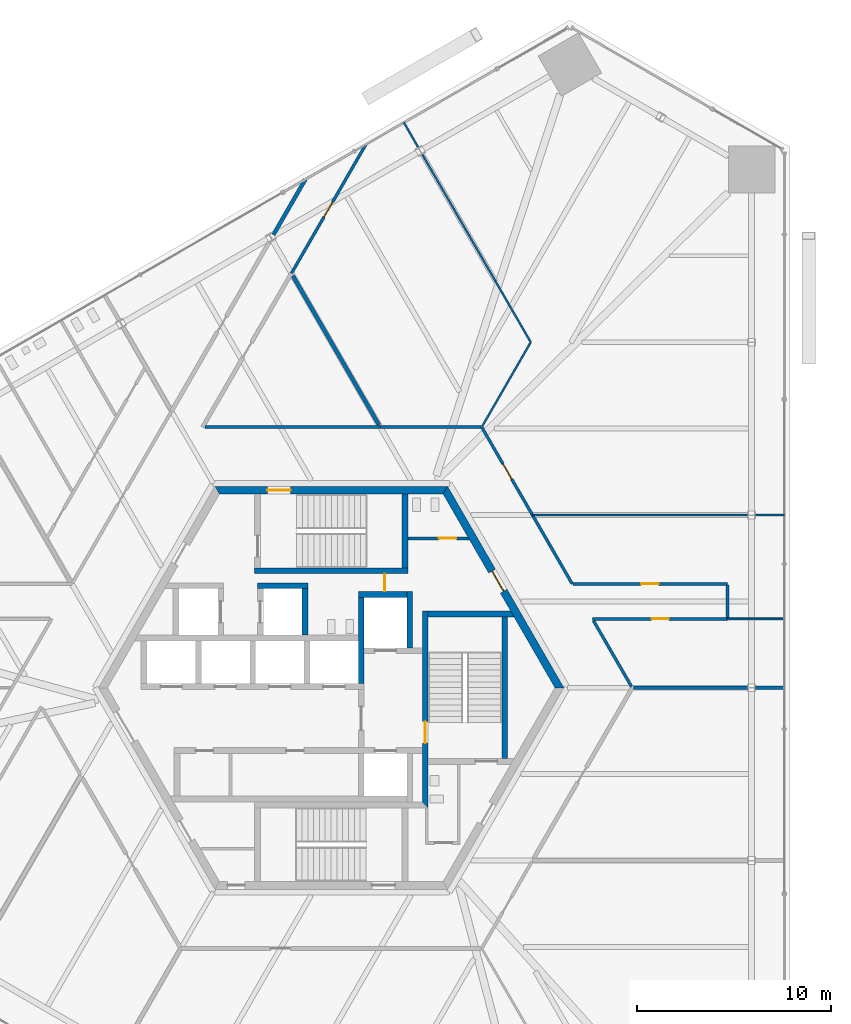
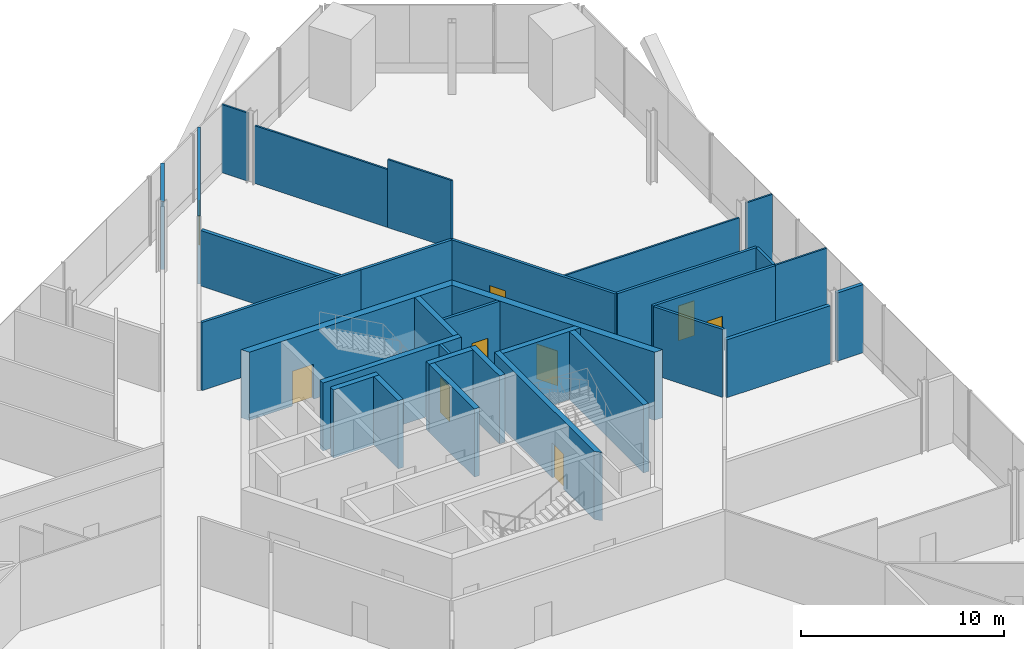
# One storey, part 14 of 17: 33 walls, 9 doors, 9 openings.
"""IFC4 building model written with IfcOpenShell, lengths in metres."""

from ifc_helpers import new_model, si_unit, direction, frame, frame_2d, origin, place, context, subcontext, project, spatial, polyline, rectangle, outline, extrude, source, transform, mapped, material, layer, layer_set, type_object, element, fill, save


model = new_model("IFC4")

# Units and contexts
model_context = context("Model", 3, precision=1e-05, world=origin(), true_north=direction((0.0, 1.0)))
body_context = subcontext(model_context, "Body", "Model", "MODEL_VIEW")
ifc_project = project(units=[si_unit("LENGTHUNIT", "METRE"), si_unit("AREAUNIT", "SQUARE_METRE"), si_unit("VOLUMEUNIT", "CUBIC_METRE"), si_unit("PLANEANGLEUNIT", "RADIAN"), si_unit("MASSUNIT", "GRAM", prefix="KILO")], contexts=[model_context])

# Site, building, storey
site_placement = place(None, origin())
site = spatial("IfcSite", under=ifc_project, at=site_placement, CompositionType="ELEMENT")
building_placement = place(site_placement, origin())
building = spatial("IfcBuilding", under=site, at=building_placement, Name="Triune Harvest Tower", CompositionType="ELEMENT")
storey_placement = place(building_placement, frame((0.0, 0.0, 46.10009765625)))
storey = spatial("IfcBuildingStorey", under=building, at=storey_placement, Name="L10", CompositionType="ELEMENT", Elevation=46.10009765625)

# Wall, opening, door
ifc_material_1 = material(Name="Gypsum board on steel studs", Category="steel")
ifc_layer_1 = layer(ifc_material_1, 0.14990234375)
ifc_layer_set_1 = layer_set([ifc_layer_1], Name="Gypsum board on steel studs")
wall_type_1 = type_object("IfcWallType", Name="Fire Partition 150 mm", PredefinedType="PARTITIONING", material=ifc_layer_set_1)
wall_1_placement = place(storey_placement, frame((7.760986328125, 13.442138671875, 0.0), z_axis=(0.0, 0.0, 1.0), x_axis=(0.500005339912, -0.866022320763, 0.0)))
wall_1 = element("IfcWall", 1, at=wall_1_placement, inside=storey, type_object=wall_type_1, Name="Partition L10 015", PredefinedType="PARTITIONING", context=body_context, shape_type="SweptSolid", body=[
    extrude(rectangle(XDim=9.33837890625, YDim=0.14990234375, at=frame_2d((4.669189453125, 0.0))), origin(), (0.0, 0.0, 1.0), 4.099853515625),
])
opening_1_placement = place(wall_1_placement, frame((2.183349609375, 0.0, 0.0)))
opening_1 = element("IfcOpeningElement", 2, at=opening_1_placement, cuts=wall_1, Name="Opening L10-006", PredefinedType="OPENING", context=body_context, shape_type="SweptSolid", body=[
    extrude(rectangle(XDim=0.89990234375, YDim=2.10009765625, at=frame_2d((0.449951171875, 1.050048828125))), frame((0.0, 0.0849609375, 0.0), z_axis=(0.0, -1.0, 0.0), x_axis=(1.0, 0.0, 0.0)), (0.0, 0.0, 1.0), 0.169921875),
])
ifc_material_2 = material(Name="Timber and steel door set", Category="steel")
door_type_1 = type_object("IfcDoorType", Name="Single leaf door FD30 left hand 900 x 2100", OperationType="SINGLE_SWING_LEFT", PredefinedType="DOOR", material=ifc_material_2)
door_1_placement = place(opening_1_placement, origin())
door_1 = element("IfcDoor", 3, at=door_1_placement, inside=storey, type_object=door_type_1, Name="Door L10-006 Staff Room 10.06", OperationType="SINGLE_SWING_LEFT", OverallHeight=2.10009765625, OverallWidth=0.89990234375, PredefinedType="DOOR", context=body_context, shape_type="SweptSolid", body=[
    extrude(rectangle(XDim=0.89990234375, YDim=2.10009765625, at=frame_2d((0.449951171875, 1.050048828125))), frame((0.0, 0.02490234375, 0.0), z_axis=(0.0, -1.0, 0.0), x_axis=(1.0, 0.0, 0.0)), (0.0, 0.0, 1.0), 0.050048828125),
])
fill(opening_1, door_1)

# Wall
wall_2_placement = place(storey_placement, frame((13.5244140625, 3.459716796875, 0.0), z_axis=(0.0, 0.0, 1.0), x_axis=(0.500006044118, -0.866021914183, 0.0)))
element("IfcWall", 4, at=wall_2_placement, inside=storey, type_object=wall_type_1, Name="Partition L10 016", PredefinedType="PARTITIONING", context=body_context, shape_type="SweptSolid", body=[
    extrude(rectangle(XDim=3.9248046875, YDim=0.14990234375, at=frame_2d((1.96240234375, 0.0))), origin(), (0.0, 0.0, 1.0), 4.099853515625),
])

# Wall, opening, door
wall_3_placement = place(storey_placement, frame((13.469482421875, 3.554931640625, 0.0), z_axis=(0.0, 0.0, 1.0), x_axis=(1.0, 0.0, 0.0)))
wall_3 = element("IfcWall", 5, at=wall_3_placement, inside=storey, type_object=wall_type_1, Name="Partition L10 034", PredefinedType="PARTITIONING", context=body_context, shape_type="SweptSolid", body=[
    extrude(rectangle(XDim=6.9599609375, YDim=0.14990234375, at=frame_2d((3.47998046875, 0.0))), origin(), (0.0, 0.0, 1.0), 4.099853515625),
])
opening_2_placement = place(wall_3_placement, frame((3.050048828125, 0.0, 0.0)))
opening_2 = element("IfcOpeningElement", 6, at=opening_2_placement, cuts=wall_3, Name="Opening L10-005", PredefinedType="OPENING", context=body_context, shape_type="SweptSolid", body=[
    extrude(rectangle(XDim=0.89990234375, YDim=2.10009765625, at=frame_2d((0.449951171875, 1.050048828125))), frame((0.0, 0.0849609375, 0.0), z_axis=(0.0, -1.0, 0.0), x_axis=(1.0, 0.0, 0.0)), (0.0, 0.0, 1.0), 0.169921875),
])
door_2_placement = place(opening_2_placement, origin())
door_2 = element("IfcDoor", 7, at=door_2_placement, inside=storey, type_object=door_type_1, Name="Door L10-005 Dry Store Room 10.05", OperationType="SINGLE_SWING_LEFT", OverallHeight=2.10009765625, OverallWidth=0.89990234375, PredefinedType="DOOR", context=body_context, shape_type="SweptSolid", body=[
    extrude(rectangle(XDim=0.89990234375, YDim=2.10009765625, at=frame_2d((0.449951171875, 1.050048828125))), frame((0.0, 0.02490234375, 0.0), z_axis=(0.0, -1.0, 0.0), x_axis=(1.0, 0.0, 0.0)), (0.0, 0.0, 1.0), 0.050048828125),
])
fill(opening_2, door_2)

wall_4_placement = place(storey_placement, frame((12.47998046875, 5.35498046875, 0.0), z_axis=(0.0, 0.0, 1.0), x_axis=(1.0, 0.0, 0.0)))
wall_4 = element("IfcWall", 8, at=wall_4_placement, inside=storey, type_object=wall_type_1, Name="Partition L10 037", PredefinedType="PARTITIONING", context=body_context, shape_type="SweptSolid", body=[
    extrude(rectangle(XDim=7.949462890625, YDim=0.14990234375, at=frame_2d((3.974609375, 0.0))), origin(), (0.0, 0.0, 1.0), 4.099853515625),
])
opening_3_placement = place(wall_4_placement, frame((3.50048828125, 0.0, 0.0)))
opening_3 = element("IfcOpeningElement", 9, at=opening_3_placement, cuts=wall_4, Name="Opening L10-004", PredefinedType="OPENING", context=body_context, shape_type="SweptSolid", body=[
    extrude(rectangle(XDim=0.89990234375, YDim=2.10009765625, at=frame_2d((0.449951171875, 1.050048828125))), frame((0.0, 0.0849609375, 0.0), z_axis=(0.0, -1.0, 0.0), x_axis=(1.0, 0.0, 0.0)), (0.0, 0.0, 1.0), 0.169921875),
])
ifc_material_3 = material(Name="Timber and steel door set", Category="steel")
door_type_2 = type_object("IfcDoorType", Name="Single leaf door FD30 right hand 900 x 2100", OperationType="SINGLE_SWING_RIGHT", PredefinedType="DOOR", material=ifc_material_3)
door_3_placement = place(opening_3_placement, origin())
door_3 = element("IfcDoor", 10, at=door_3_placement, inside=storey, type_object=door_type_2, Name="Door L10-004 Packing Room 10.04", OperationType="SINGLE_SWING_RIGHT", OverallHeight=2.10009765625, OverallWidth=0.89990234375, PredefinedType="DOOR", context=body_context, shape_type="SweptSolid", body=[
    extrude(rectangle(XDim=0.89990234375, YDim=2.10009765625, at=frame_2d((0.449951171875, 1.050048828125))), frame((0.0, 0.02490234375, 0.0), z_axis=(0.0, -1.0, 0.0), x_axis=(1.0, 0.0, 0.0)), (0.0, 0.0, 1.0), 0.050048828125),
])
fill(opening_3, door_3)

# Walls
wall_5_placement = place(storey_placement, frame((-6.50244140625, 13.4423828125, 0.0), z_axis=(0.0, 0.0, 1.0), x_axis=(1.0, 0.0, 0.0)))
element("IfcWall", 11, at=wall_5_placement, inside=storey, type_object=wall_type_1, Name="Partition L10 040", PredefinedType="PARTITIONING", context=body_context, shape_type="SweptSolid", body=[
    extrude(rectangle(XDim=9.033447265625, YDim=0.14990234375, at=frame_2d((4.5166015625, 0.0))), origin(), (0.0, 0.0, 1.0), 4.099853515625),
])
wall_6_placement = place(storey_placement, frame((2.531005859375, 13.4423828125, 0.0), z_axis=(0.0, 0.0, 1.0), x_axis=(1.0, 0.0, 0.0)))
element("IfcWall", 12, at=wall_6_placement, inside=storey, type_object=wall_type_1, Name="Partition L10 041", PredefinedType="PARTITIONING", context=body_context, shape_type="SweptSolid", body=[
    extrude(rectangle(XDim=5.179931640625, YDim=0.14990234375, at=frame_2d((2.58984375, 0.0))), origin(), (0.0, 0.0, 1.0), 4.099853515625),
])

# Wall, opening, door
wall_7_placement = place(storey_placement, frame((-2.05078125, 21.3779296875, 0.0), z_axis=(0.0, 0.0, 1.0), x_axis=(0.500013814221, 0.866017427994, 0.0)))
wall_7 = element("IfcWall", 13, at=wall_7_placement, inside=storey, type_object=wall_type_1, Name="Partition L10 054", PredefinedType="PARTITIONING", context=body_context, shape_type="SweptSolid", body=[
    extrude(rectangle(XDim=7.664306640625, YDim=0.14990234375, at=frame_2d((3.83203125, 0.0))), origin(), (0.0, 0.0, 1.0), 4.099853515625),
])
opening_4_placement = place(wall_7_placement, frame((3.346435546875, 0.0, 0.0)))
opening_4 = element("IfcOpeningElement", 14, at=opening_4_placement, cuts=wall_7, Name="Opening L10-007", PredefinedType="OPENING", context=body_context, shape_type="SweptSolid", body=[
    extrude(rectangle(XDim=0.89990234375, YDim=2.10009765625, at=frame_2d((0.449951171875, 1.050048828125))), frame((0.0, 0.0849609375, 0.0), z_axis=(0.0, -1.0, 0.0), x_axis=(1.0, 0.0, 0.0)), (0.0, 0.0, 1.0), 0.169921875),
])
door_4_placement = place(opening_4_placement, origin())
door_4 = element("IfcDoor", 15, at=door_4_placement, inside=storey, type_object=door_type_2, Name="Door L10-007 Staff Room 10.07", OperationType="SINGLE_SWING_RIGHT", OverallHeight=2.10009765625, OverallWidth=0.89990234375, PredefinedType="DOOR", context=body_context, shape_type="SweptSolid", body=[
    extrude(rectangle(XDim=0.89990234375, YDim=2.10009765625, at=frame_2d((0.449951171875, 1.050048828125))), frame((0.0, 0.02490234375, 0.0), z_axis=(0.0, -1.0, 0.0), x_axis=(1.0, 0.0, 0.0)), (0.0, 0.0, 1.0), 0.050048828125),
])
fill(opening_4, door_4)

# Walls
ifc_material_4 = material(Name="Gypsum board on steel studs", Category="steel")
ifc_layer_2 = layer(ifc_material_4, 0.199951171875)
ifc_layer_set_2 = layer_set([ifc_layer_2], Name="Gypsum board on steel studs")
wall_type_2 = type_object("IfcWallType", Name="Fire Wall 200 mm", PredefinedType="PARTITIONING", material=ifc_layer_set_2)
wall_8_placement = place(storey_placement, frame((-1.9775390625, 21.2451171875, 0.0), z_axis=(0.0, 0.0, 1.0), x_axis=(0.499984742941, -0.866034212273, 0.0)))
element("IfcWall", 16, at=wall_8_placement, inside=storey, type_object=wall_type_2, Name="Partition L10 014", PredefinedType="PARTITIONING", context=body_context, shape_type="SweptSolid", body=[
    extrude(rectangle(XDim=8.889892578125, YDim=0.199951171875, at=frame_2d((4.44482421875, 0.0))), origin(), (0.0, 0.0, 1.0), 3.343017578125),
])
wall_9_placement = place(storey_placement, frame((15.591796875, 0.0, 0.0), z_axis=(0.0, 0.0, 1.0), x_axis=(1.0, 0.0, 0.0)))
element("IfcWall", 17, at=wall_9_placement, inside=storey, type_object=wall_type_2, Name="Partition L10 030", PredefinedType="PARTITIONING", context=body_context, shape_type="SweptSolid", body=[
    extrude(rectangle(XDim=5.89453125, YDim=0.199951171875, at=frame_2d((2.947265625, 0.0))), origin(), (0.0, 0.0, 1.0), 3.48779296875),
])
wall_10_placement = place(storey_placement, frame((-2.98095703125, 23.36669921875, 0.0), z_axis=(0.0, 0.0, 1.0), x_axis=(0.5000265556, 0.866010071359, 0.0)))
element("IfcWall", 18, at=wall_10_placement, inside=storey, type_object=wall_type_2, Name="Partition L10 058", PredefinedType="PARTITIONING", context=body_context, shape_type="SweptSolid", body=[
    extrude(rectangle(XDim=3.289306640625, YDim=0.199951171875, at=frame_2d((1.64453125, 0.0))), origin(), (0.0, 0.0, 1.0), 4.099853515625),
])
ifc_material_5 = material(Name="Gypsum board on steel studs", Category="steel")
ifc_layer_3 = layer(ifc_material_5, 0.10009765625)
ifc_layer_set_3 = layer_set([ifc_layer_3], Name="Gypsum board on steel studs")
wall_type_3 = type_object("IfcWallType", Name="Partition 100 mm", PredefinedType="PARTITIONING", material=ifc_layer_set_3)
wall_11_placement = place(storey_placement, frame((8.4736328125, 20.963134765625, 0.0), z_axis=(0.0, 0.0, 1.0), x_axis=(0.500009718699, -0.866019792618, 0.0)))
element("IfcWall", 19, at=wall_11_placement, inside=storey, type_object=wall_type_3, Name="Partition L10 018a", PredefinedType="PARTITIONING", context=body_context, shape_type="SweptSolid", body=[
    extrude(rectangle(XDim=3.62939453125, YDim=0.10009765625, at=frame_2d((1.814697265625, 0.0))), origin(), (0.0, 0.0, 1.0), 4.099853515625),
])
wall_12_placement = place(storey_placement, frame((10.377685546875, 8.909912109375, 0.0), z_axis=(0.0, 0.0, 1.0), x_axis=(1.0, 0.0, 0.0)))
element("IfcWall", 20, at=wall_12_placement, inside=storey, type_object=wall_type_3, Name="Partition L10 038", PredefinedType="PARTITIONING", context=body_context, shape_type="SweptSolid", body=[
    extrude(rectangle(XDim=11.108642578125, YDim=0.10009765625, at=frame_2d((5.55419921875, 0.0))), origin(), (0.0, 0.0, 1.0), 3.343017578125),
])
wall_13_placement = place(storey_placement, frame((7.78076171875, 13.476806640625, 0.0), z_axis=(0.0, 0.0, 1.0), x_axis=(0.499997455298, 0.866026872964, 0.0)))
element("IfcWall", 21, at=wall_13_placement, inside=storey, type_object=wall_type_3, Name="Partition L10 049", PredefinedType="PARTITIONING", context=body_context, shape_type="SweptSolid", body=[
    extrude(rectangle(XDim=4.9951171875, YDim=0.10009765625, at=frame_2d((2.49755859375, 0.0))), origin(), (0.0, 0.0, 1.0), 4.099853515625),
])

# Wall, opening, door
ifc_material_6 = material(Name="Concrete 70 MPa", Category="concrete")
ifc_layer_4 = layer(ifc_material_6, 0.39990234375)
ifc_layer_set_4 = layer_set([ifc_layer_4], Name="Concrete 70 MPa")
wall_type_4 = type_object("IfcWallType", Name="Core wall 400", PredefinedType="SHEAR", material=ifc_layer_set_4)
shared_shape_1 = source(origin(), body_context, "Body", "SweptSolid", [
    extrude(outline(polyline([(-0.115478515625, -0.199951171875), (11.884521484375, -0.199951171875), (11.653564453125, 0.199951171875), (0.115478515625, 0.199951171875), (-0.115478515625, -0.199951171875)])), origin(), (0.0, 0.0, 1.0), 4.099853515625),
])
wall_14_placement = place(storey_placement, frame((11.76904296875, 0.0, 0.0), z_axis=(0.0, 0.0, 1.0), x_axis=(-0.499996592174, 0.866027371285, 0.0)))
wall_14 = element("IfcWall", 22, at=wall_14_placement, inside=storey, type_object=wall_type_4, Name="Hexagon 0 wall", PredefinedType="SHEAR", context=body_context, shape_type="MappedRepresentation", body=[
    mapped(shared_shape_1, transform((0.0, 0.0, 0.0), scale=1.0)),
])
opening_5_placement = place(wall_14_placement, frame((5.75048828125, 0.0, 0.0)))
opening_5 = element("IfcOpeningElement", 23, at=opening_5_placement, cuts=wall_14, Name="Opening CD-WCP", PredefinedType="OPENING", context=body_context, shape_type="SweptSolid", body=[
    extrude(rectangle(XDim=1.199951171875, YDim=2.10009765625, at=frame_2d((0.60009765625, 1.050048828125))), frame((0.0, 0.2099609375, 0.0), z_axis=(0.0, -1.0, 0.0), x_axis=(1.0, 0.0, 0.0)), (0.0, 0.0, 1.0), 0.419921875),
])
ifc_material_7 = material(Name="Steel S235", Category="steel")
door_type_3 = type_object("IfcDoorType", Name="Lobby door 1200 FD120", OperationType="SINGLE_SWING_LEFT", PredefinedType="DOOR", material=ifc_material_7)
door_5_placement = place(opening_5_placement, frame((1.199951171875, 0.0, 0.0), z_axis=(0.0, 0.0, 1.0), x_axis=(-1.0, 0.0, 0.0)))
door_5 = element("IfcDoor", 24, at=door_5_placement, inside=storey, type_object=door_type_3, Name="Door CD-WCP", OperationType="SINGLE_SWING_RIGHT", OverallHeight=2.10009765625, OverallWidth=1.199951171875, PredefinedType="DOOR", context=body_context, shape_type="SweptSolid", body=[
    extrude(rectangle(XDim=1.199951171875, YDim=2.10009765625, at=frame_2d((0.60009765625, 1.050048828125))), frame((0.0, 0.02490234375, 0.0), z_axis=(0.0, -1.0, 0.0), x_axis=(1.0, 0.0, 0.0)), (0.0, 0.0, 1.0), 0.050048828125),
])
fill(opening_5, door_5)

wall_15_placement = place(storey_placement, frame((5.884521484375, 10.1923828125, 0.0), z_axis=(0.0, 0.0, 1.0), x_axis=(-1.0, 0.0, 0.0)))
wall_15 = element("IfcWall", 25, at=wall_15_placement, inside=storey, type_object=wall_type_4, Name="Hexagon 1 wall", PredefinedType="SHEAR", context=body_context, shape_type="MappedRepresentation", body=[
    mapped(shared_shape_1, transform((0.0, 0.0, 0.0), scale=1.0)),
])
opening_6_placement = place(wall_15_placement, frame((7.984619140625, 0.0, 0.0)))
opening_6 = element("IfcOpeningElement", 26, at=opening_6_placement, cuts=wall_15, Name="Opening CD-S1P", PredefinedType="OPENING", context=body_context, shape_type="SweptSolid", body=[
    extrude(rectangle(XDim=1.199951171875, YDim=2.10009765625, at=frame_2d((0.60009765625, 1.050048828125))), frame((0.0, 0.2099609375, 0.0), z_axis=(0.0, -1.0, 0.0), x_axis=(1.0, 0.0, 0.0)), (0.0, 0.0, 1.0), 0.419921875),
])
ifc_material_8 = material(Name="Steel S235", Category="steel")
door_type_4 = type_object("IfcDoorType", Name="Stair door 1200 FD120", OperationType="SINGLE_SWING_LEFT", PredefinedType="DOOR", material=ifc_material_8)
door_6_placement = place(opening_6_placement, frame((1.199951171875, 0.0, 0.0), z_axis=(0.0, 0.0, 1.0), x_axis=(-1.0, 0.0, 0.0)))
door_6 = element("IfcDoor", 27, at=door_6_placement, inside=storey, type_object=door_type_4, Name="Door CD-S1P", OperationType="SINGLE_SWING_RIGHT", OverallHeight=2.10009765625, OverallWidth=1.199951171875, PredefinedType="DOOR", context=body_context, shape_type="SweptSolid", body=[
    extrude(rectangle(XDim=1.199951171875, YDim=2.10009765625, at=frame_2d((0.60009765625, 1.050048828125))), frame((0.0, 0.02490234375, 0.0), z_axis=(0.0, -1.0, 0.0), x_axis=(1.0, 0.0, 0.0)), (0.0, 0.0, 1.0), 0.050048828125),
])
fill(opening_6, door_6)

# Walls
ifc_material_9 = material(Name="Concrete 70 MPa", Category="concrete")
ifc_layer_5 = layer(ifc_material_9, 0.300048828125)
ifc_layer_set_5 = layer_set([ifc_layer_5], Name="Concrete 70 MPa")
wall_type_5 = type_object("IfcWallType", Name="Core wall 300", PredefinedType="SHEAR", material=ifc_layer_set_5)
shared_shape_2 = source(origin(), body_context, "Body", "SweptSolid", [
    extrude(rectangle(XDim=2.5, YDim=0.300048828125, at=frame_2d((1.25, 0.0))), origin(), (0.0, 0.0, 1.0), 4.099853515625),
])
wall_16_placement = place(storey_placement, frame((1.39990234375, 4.81005859375, 0.0), z_axis=(0.0, 0.0, 1.0), x_axis=(1.0, 0.0, 0.0)))
element("IfcWall", 28, at=wall_16_placement, inside=storey, type_object=wall_type_5, Name="Ff1 back wall", PredefinedType="SHEAR", context=body_context, shape_type="MappedRepresentation", body=[
    mapped(shared_shape_2, transform((0.0, 0.0, 0.0), scale=1.0)),
])
shared_shape_3 = source(origin(), body_context, "Body", "SweptSolid", [
    extrude(rectangle(XDim=4.449951171875, YDim=0.300048828125, at=frame_2d((2.22509765625, 0.0))), origin(), (0.0, 0.0, 1.0), 4.099853515625),
])
wall_17_placement = place(storey_placement, frame((1.550048828125, 0.2099609375, 0.0), z_axis=(0.0, 0.0, 1.0), x_axis=(0.0, 1.0, 0.0)))
element("IfcWall", 29, at=wall_17_placement, inside=storey, type_object=wall_type_5, Name="Ff1 west wall", PredefinedType="SHEAR", context=body_context, shape_type="MappedRepresentation", body=[
    mapped(shared_shape_3, transform((0.0, 0.0, 0.0), scale=1.0)),
])
shared_shape_4 = source(origin(), body_context, "Body", "SweptSolid", [
    extrude(rectangle(XDim=2.89990234375, YDim=0.300048828125, at=frame_2d((1.449951171875, 0.0))), origin(), (0.0, 0.0, 1.0), 4.099853515625),
])
wall_18_placement = place(storey_placement, frame((4.050048828125, 2.06005859375, 0.0), z_axis=(0.0, 0.0, 1.0), x_axis=(0.0, 1.0, 0.0)))
element("IfcWall", 30, at=wall_18_placement, inside=storey, type_object=wall_type_5, Name="Ff1 east wall", PredefinedType="SHEAR", context=body_context, shape_type="MappedRepresentation", body=[
    mapped(shared_shape_4, transform((0.0, 0.0, 0.0), scale=1.0)),
])

# Wall, opening, door
shared_shape_5 = source(origin(), body_context, "Body", "SweptSolid", [
    extrude(outline(polyline([(-0.14990234375, -0.14990234375), (9.989990234375, -0.14990234375), (9.989990234375, 0.14990234375), (0.14990234375, 0.14990234375), (-0.14990234375, -0.14990234375)])), origin(), (0.0, 0.0, 1.0), 4.099853515625),
])
wall_19_placement = place(storey_placement, frame((4.85009765625, -6.0400390625, 0.0), z_axis=(0.0, 0.0, 1.0), x_axis=(0.0, 1.0, 0.0)))
wall_19 = element("IfcWall", 31, at=wall_19_placement, inside=storey, type_object=wall_type_5, Name="Stair e west wall", PredefinedType="SHEAR", context=body_context, shape_type="MappedRepresentation", body=[
    mapped(shared_shape_5, transform((0.0, 0.0, 0.0), scale=1.0)),
])
opening_7_placement = place(wall_19_placement, frame((3.18994140625, 0.0, 0.0)))
opening_7 = element("IfcOpeningElement", 32, at=opening_7_placement, cuts=wall_19, Name="Opening CD-S3L", PredefinedType="OPENING", context=body_context, shape_type="SweptSolid", body=[
    extrude(rectangle(XDim=1.10009765625, YDim=2.10009765625, at=frame_2d((0.550048828125, 1.050048828125))), frame((0.0, 0.16015625, 0.0), z_axis=(0.0, -1.0, 0.0), x_axis=(1.0, 0.0, 0.0)), (0.0, 0.0, 1.0), 0.320068359375),
])
ifc_material_10 = material(Name="Steel S235", Category="steel")
door_type_5 = type_object("IfcDoorType", Name="Stair door 1100 FD120", OperationType="SINGLE_SWING_LEFT", PredefinedType="DOOR", material=ifc_material_10)
door_7_placement = place(opening_7_placement, frame((1.10009765625, 0.0, 0.0), z_axis=(0.0, 0.0, 1.0), x_axis=(-1.0, 0.0, 0.0)))
door_7 = element("IfcDoor", 33, at=door_7_placement, inside=storey, type_object=door_type_5, Name="Door CD-S3L", OperationType="SINGLE_SWING_RIGHT", OverallHeight=2.10009765625, OverallWidth=1.10009765625, PredefinedType="DOOR", context=body_context, shape_type="SweptSolid", body=[
    extrude(rectangle(XDim=1.10009765625, YDim=2.10009765625, at=frame_2d((0.550048828125, 1.050048828125))), frame((0.0, 0.02490234375, 0.0), z_axis=(0.0, -1.0, 0.0), x_axis=(1.0, 0.0, 0.0)), (0.0, 0.0, 1.0), 0.050048828125),
])
fill(opening_7, door_7)

# Walls
shared_shape_6 = source(origin(), body_context, "Body", "SweptSolid", [
    extrude(outline(polyline([(0.0, -0.14990234375), (0.0, 0.14990234375), (4.260009765625, 0.14990234375), (4.43310546875, -0.14990234375), (0.0, -0.14990234375)])), origin(), (0.0, 0.0, 1.0), 4.099853515625),
])
wall_20_placement = place(storey_placement, frame((5.0, 3.800048828125, 0.0), z_axis=(0.0, 0.0, 1.0), x_axis=(1.0, 0.0, 0.0)))
element("IfcWall", 34, at=wall_20_placement, inside=storey, type_object=wall_type_5, Name="Stair e north wall", PredefinedType="SHEAR", context=body_context, shape_type="MappedRepresentation", body=[
    mapped(shared_shape_6, transform((0.0, 0.0, 0.0), scale=1.0)),
])
shared_shape_7 = source(origin(), body_context, "Body", "SweptSolid", [
    extrude(rectangle(XDim=7.2998046875, YDim=0.300048828125, at=frame_2d((3.64990234375, 0.0))), origin(), (0.0, 0.0, 1.0), 4.099853515625),
])
wall_21_placement = place(storey_placement, frame((8.949951171875, -3.64990234375, 0.0), z_axis=(0.0, 0.0, 1.0), x_axis=(0.0, 1.0, 0.0)))
element("IfcWall", 35, at=wall_21_placement, inside=storey, type_object=wall_type_5, Name="Stair e east wall", PredefinedType="SHEAR", context=body_context, shape_type="MappedRepresentation", body=[
    mapped(shared_shape_7, transform((0.0, 0.0, 0.0), scale=1.0)),
])
shared_shape_8 = source(origin(), body_context, "Body", "SweptSolid", [
    extrude(rectangle(XDim=7.89990234375, YDim=0.300048828125, at=frame_2d((3.949951171875, 0.0))), origin(), (0.0, 0.0, 1.0), 4.099853515625),
])
wall_22_placement = place(storey_placement, frame((-3.949951171875, 6.0400390625, 0.0), z_axis=(0.0, 0.0, 1.0), x_axis=(1.0, 0.0, 0.0)))
element("IfcWall", 36, at=wall_22_placement, inside=storey, type_object=wall_type_5, Name="Stair n south wall", PredefinedType="SHEAR", context=body_context, shape_type="MappedRepresentation", body=[
    mapped(shared_shape_8, transform((0.0, 0.0, 0.0), scale=1.0)),
])
shared_shape_9 = source(origin(), body_context, "Body", "SweptSolid", [
    extrude(outline(polyline([(0.0, -0.14990234375), (0.0, 0.14990234375), (3.80419921875, 0.14990234375), (3.80419921875, -0.14990234375), (0.0, -0.14990234375)])), origin(), (0.0, 0.0, 1.0), 4.099853515625),
])
wall_23_placement = place(storey_placement, frame((3.800048828125, 6.18994140625, 0.0), z_axis=(0.0, 0.0, 1.0), x_axis=(0.0, 1.0, 0.0)))
element("IfcWall", 37, at=wall_23_placement, inside=storey, type_object=wall_type_5, Name="Stair n east wall", PredefinedType="SHEAR", context=body_context, shape_type="MappedRepresentation", body=[
    mapped(shared_shape_9, transform((0.0, 0.0, 0.0), scale=1.0)),
])
shared_shape_10 = source(origin(), body_context, "Body", "SweptSolid", [
    extrude(rectangle(XDim=2.400146484375, YDim=0.300048828125, at=frame_2d((1.2001953125, 0.0))), origin(), (0.0, 0.0, 1.0), 4.099853515625),
])
wall_24_placement = place(storey_placement, frame((-1.35009765625, 2.7099609375, 0.0), z_axis=(0.0, 0.0, 1.0), x_axis=(0.0, 1.0, 0.0)))
element("IfcWall", 38, at=wall_24_placement, inside=storey, type_object=wall_type_5, Name="Sv2 east wall", PredefinedType="SHEAR", context=body_context, shape_type="MappedRepresentation", body=[
    mapped(shared_shape_10, transform((0.0, 0.0, 0.0), scale=1.0)),
])
shared_shape_11 = source(origin(), body_context, "Body", "SweptSolid", [
    extrude(rectangle(XDim=2.60009765625, YDim=0.300048828125, at=frame_2d((1.300048828125, 0.0))), origin(), (0.0, 0.0, 1.0), 4.099853515625),
])
wall_25_placement = place(storey_placement, frame((-3.800048828125, 5.260009765625, 0.0), z_axis=(0.0, 0.0, 1.0), x_axis=(1.0, 0.0, 0.0)))
element("IfcWall", 39, at=wall_25_placement, inside=storey, type_object=wall_type_5, Name="Sv2 north wall", PredefinedType="SHEAR", context=body_context, shape_type="MappedRepresentation", body=[
    mapped(shared_shape_11, transform((0.0, 0.0, 0.0), scale=1.0)),
])

# Wall, opening, door
ifc_material_11 = material(Name="Concrete masonry unit", Category="masonry")
ifc_layer_6 = layer(ifc_material_11, 0.14990234375)
ifc_layer_set_6 = layer_set([ifc_layer_6], Name="Concrete masonry unit")
wall_type_6 = type_object("IfcWallType", Name="Block partition 150 unrated", PredefinedType="PARTITIONING", material=ifc_layer_set_6)
shared_shape_12 = source(origin(), body_context, "Body", "SweptSolid", [
    extrude(outline(polyline([(0.0, -0.074951171875), (0.0, 0.074951171875), (3.1015625, 0.074951171875), (3.18798828125, -0.074951171875), (0.0, -0.074951171875)])), origin(), (0.0, 0.0, 1.0), 4.099853515625),
])
wall_26_placement = place(storey_placement, frame((3.949951171875, 7.699951171875, 0.0), z_axis=(0.0, 0.0, 1.0), x_axis=(1.0, 0.0, 0.0)))
wall_26 = element("IfcWall", 40, at=wall_26_placement, inside=storey, type_object=wall_type_6, Name="Wc women south wall", PredefinedType="PARTITIONING", context=body_context, shape_type="MappedRepresentation", body=[
    mapped(shared_shape_12, transform((0.0, 0.0, 0.0), scale=1.0)),
])
opening_8_placement = place(wall_26_placement, frame((1.60009765625, 0.0, 0.0)))
opening_8 = element("IfcOpeningElement", 41, at=opening_8_placement, cuts=wall_26, Name="Opening CD-WW", PredefinedType="OPENING", context=body_context, shape_type="SweptSolid", body=[
    extrude(rectangle(XDim=0.89990234375, YDim=2.10009765625, at=frame_2d((0.449951171875, 1.050048828125))), frame((0.0, 0.0849609375, 0.0), z_axis=(0.0, -1.0, 0.0), x_axis=(1.0, 0.0, 0.0)), (0.0, 0.0, 1.0), 0.169921875),
])
ifc_material_12 = material(Name="Timber C24", Category="wood")
door_type_6 = type_object("IfcDoorType", Name="WC door 900", OperationType="SINGLE_SWING_LEFT", PredefinedType="DOOR", material=ifc_material_12)
door_8_placement = place(opening_8_placement, origin())
door_8 = element("IfcDoor", 42, at=door_8_placement, inside=storey, type_object=door_type_6, Name="Door CD-WW", OperationType="SINGLE_SWING_LEFT", OverallHeight=2.10009765625, OverallWidth=0.89990234375, PredefinedType="DOOR", context=body_context, shape_type="SweptSolid", body=[
    extrude(rectangle(XDim=0.89990234375, YDim=2.10009765625, at=frame_2d((0.449951171875, 1.050048828125))), frame((0.0, 0.02490234375, 0.0), z_axis=(0.0, -1.0, 0.0), x_axis=(1.0, 0.0, 0.0)), (0.0, 0.0, 1.0), 0.050048828125),
])
fill(opening_8, door_8)

shared_shape_13 = source(origin(), body_context, "Body", "SweptSolid", [
    extrude(rectangle(XDim=0.929931640625, YDim=0.14990234375, at=frame_2d((0.46484375, 0.0))), origin(), (0.0, 0.0, 1.0), 4.099853515625),
])
wall_27_placement = place(storey_placement, frame((2.75, 4.9599609375, 0.0), z_axis=(0.0, 0.0, 1.0), x_axis=(0.0, 1.0, 0.0)))
wall_27 = element("IfcWall", 43, at=wall_27_placement, inside=storey, type_object=wall_type_6, Name="Wc men east b wall", PredefinedType="PARTITIONING", context=body_context, shape_type="MappedRepresentation", body=[
    mapped(shared_shape_13, transform((0.0, 0.0, 0.0), scale=1.0)),
])
opening_9_placement = place(wall_27_placement, frame((0.014892578125, 0.0, 0.0)))
opening_9 = element("IfcOpeningElement", 44, at=opening_9_placement, cuts=wall_27, Name="Opening CD-WM", PredefinedType="OPENING", context=body_context, shape_type="SweptSolid", body=[
    extrude(rectangle(XDim=0.89990234375, YDim=2.10009765625, at=frame_2d((0.449951171875, 1.050048828125))), frame((0.0, 0.0849609375, 0.0), z_axis=(0.0, -1.0, 0.0), x_axis=(1.0, 0.0, 0.0)), (0.0, 0.0, 1.0), 0.169921875),
])
door_9_placement = place(opening_9_placement, origin())
door_9 = element("IfcDoor", 45, at=door_9_placement, inside=storey, type_object=door_type_6, Name="Door CD-WM", OperationType="SINGLE_SWING_LEFT", OverallHeight=2.10009765625, OverallWidth=0.89990234375, PredefinedType="DOOR", context=body_context, shape_type="SweptSolid", body=[
    extrude(rectangle(XDim=0.89990234375, YDim=2.10009765625, at=frame_2d((0.449951171875, 1.050048828125))), frame((0.0, 0.02490234375, 0.0), z_axis=(0.0, -1.0, 0.0), x_axis=(1.0, 0.0, 0.0)), (0.0, 0.0, 1.0), 0.050048828125),
])
fill(opening_9, door_9)

# Walls
shared_shape_14 = source(origin(), body_context, "Body", "SweptSolid", [
    extrude(rectangle(XDim=1.49853515625, YDim=0.199951171875, at=frame_2d((0.749267578125, 0.0))), origin(), (0.0, 0.0, 1.0), 4.099853515625),
])
wall_28_placement = place(storey_placement, frame((21.872802734375, 0.0, 0.0), z_axis=(0.0, 0.0, 1.0), x_axis=(1.0, 0.0, 0.0)))
element("IfcWall", 46, at=wall_28_placement, inside=storey, type_object=wall_type_2, Name="Partition L10 031", PredefinedType="PARTITIONING", context=body_context, shape_type="MappedRepresentation", body=[
    mapped(shared_shape_14, transform((0.0, 0.0, 0.0), scale=1.0)),
])
shared_shape_15 = source(origin(), body_context, "Body", "SweptSolid", [
    extrude(rectangle(XDim=1.49853515625, YDim=0.10009765625, at=frame_2d((0.749267578125, 0.0))), origin(), (0.0, 0.0, 1.0), 4.099853515625),
])
for number, where, z_axis, x_axis, name in (
    (47, (3.746826171875, 29.150146484375, 0.0), (0.0, 0.0, 1.0), (0.499976292358, -0.866039090965, 0.0), "Partition L10 017"),
    (48, (21.872802734375, 8.909912109375, 0.0), (0.0, 0.0, 1.0), (1.0, 0.0, 0.0), "Partition L10 039"),
):
    element("IfcWall", number, at=place(storey_placement, frame(where, z_axis=z_axis, x_axis=x_axis)), inside=storey, type_object=wall_type_3, Name=name, PredefinedType="PARTITIONING", context=body_context, shape_type="MappedRepresentation", body=[
        mapped(shared_shape_15, transform((0.0, 0.0, 0.0), scale=1.0)),
    ])
shared_shape_16 = source(origin(), body_context, "Body", "SweptSolid", [
    extrude(rectangle(XDim=2.94189453125, YDim=0.10009765625, at=frame_2d((1.470947265625, 0.0))), origin(), (0.0, 0.0, 1.0), 4.099853515625),
])
wall_29_placement = place(storey_placement, frame((20.429443359375, 3.554931640625, 0.0), z_axis=(0.0, 0.0, 1.0), x_axis=(1.0, 0.0, 0.0)))
element("IfcWall", 49, at=wall_29_placement, inside=storey, type_object=wall_type_3, Name="Partition L10 035", PredefinedType="PARTITIONING", context=body_context, shape_type="MappedRepresentation", body=[
    mapped(shared_shape_16, transform((0.0, 0.0, 0.0), scale=1.0)),
])
shared_shape_17 = source(origin(), body_context, "Body", "SweptSolid", [
    extrude(rectangle(XDim=1.679931640625, YDim=0.14990234375, at=frame_2d((0.83984375, 0.0))), origin(), (0.0, 0.0, 1.0), 4.099853515625),
])
wall_30_placement = place(storey_placement, frame((20.429443359375, 3.614990234375, 0.0), z_axis=(0.0, 0.0, 1.0), x_axis=(0.0, 1.0, 0.0)))
element("IfcWall", 50, at=wall_30_placement, inside=storey, type_object=wall_type_1, Name="Partition L10 060", PredefinedType="PARTITIONING", context=body_context, shape_type="MappedRepresentation", body=[
    mapped(shared_shape_17, transform((0.0, 0.0, 0.0), scale=1.0)),
])
shared_shape_18 = source(origin(), body_context, "Body", "SweptSolid", [
    extrude(rectangle(XDim=7.568359375, YDim=0.10009765625, at=frame_2d((3.7841796875, 0.0))), origin(), (0.0, 0.0, 1.0), 3.48779296875),
])
wall_31_placement = place(storey_placement, frame((4.689453125, 27.517578125, 0.0), z_axis=(0.0, 0.0, 1.0), x_axis=(0.499997032024, -0.866027117339, 0.0)))
element("IfcWall", 51, at=wall_31_placement, inside=storey, type_object=wall_type_3, Name="Partition L10 018", PredefinedType="PARTITIONING", context=body_context, shape_type="MappedRepresentation", body=[
    mapped(shared_shape_18, transform((0.0, 0.0, 0.0), scale=1.0)),
])

save(model, "model.ifc")
